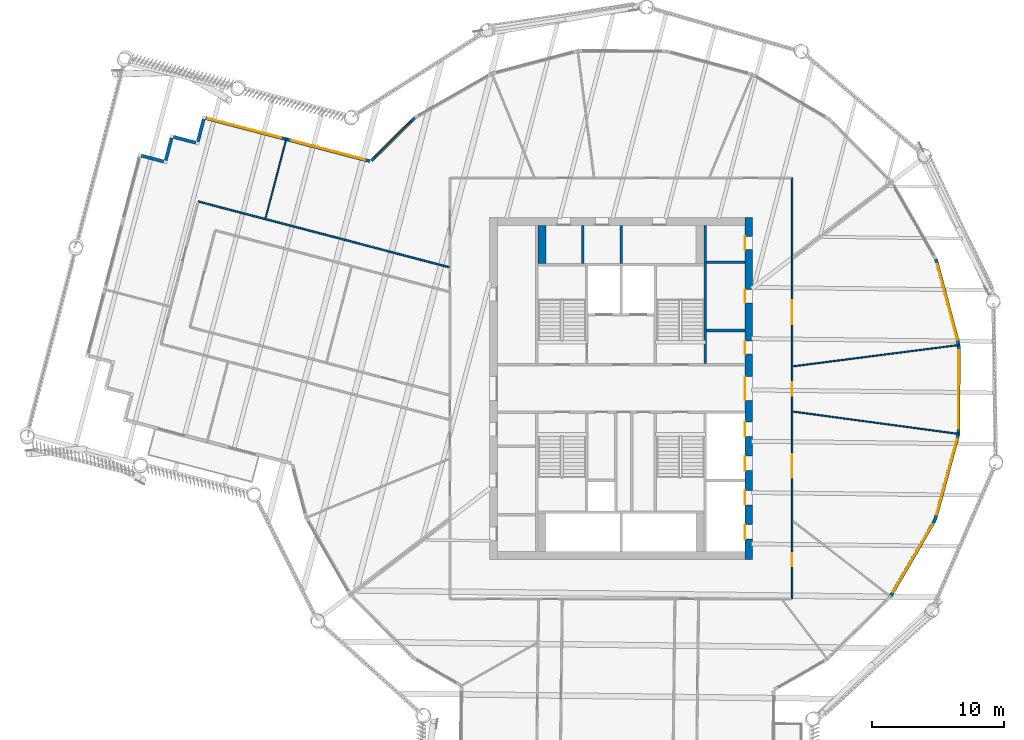
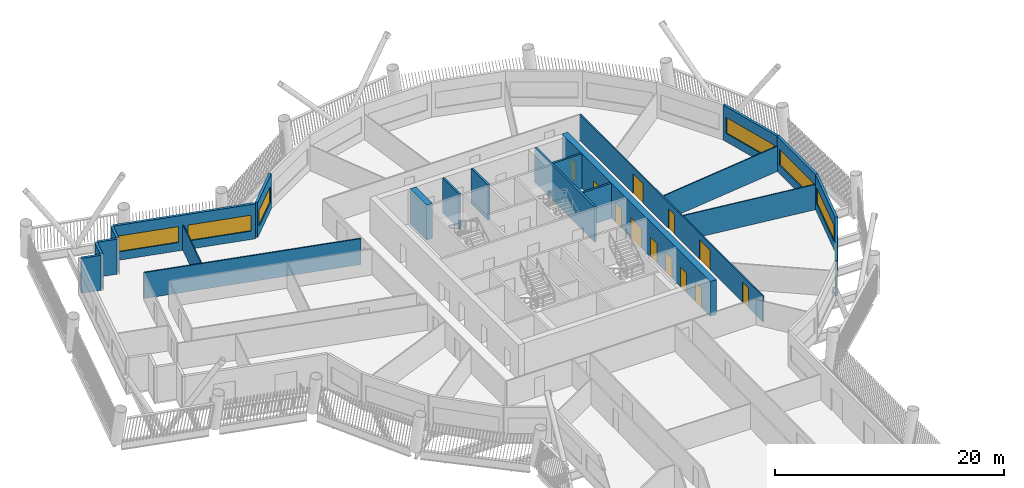
# One storey, part 6 of 21: 22 walls, 12 doors, 7 windows, 19 openings.
"""IFC4 building model written with IfcOpenShell, lengths in metres."""

from ifc_helpers import new_model, si_unit, direction, frame, frame_2d, origin, place, context, subcontext, project, spatial, rectangle, extrude, material, layer, layer_set, type_object, element, fill, save


model = new_model("IFC4")

# Units and contexts
model_context = context("Model", 3, precision=1e-05, world=origin(), true_north=direction((0.0, 1.0)))
body_context = subcontext(model_context, "Body", "Model", "MODEL_VIEW")
ifc_project = project(units=[si_unit("LENGTHUNIT", "METRE"), si_unit("AREAUNIT", "SQUARE_METRE"), si_unit("VOLUMEUNIT", "CUBIC_METRE"), si_unit("PLANEANGLEUNIT", "RADIAN"), si_unit("MASSUNIT", "GRAM", prefix="KILO")], contexts=[model_context])

# Site, building, storey
site_placement = place(None, origin())
site = spatial("IfcSite", under=ifc_project, at=site_placement, CompositionType="ELEMENT")
building_placement = place(site_placement, origin())
building = spatial("IfcBuilding", under=site, at=building_placement, Name="Tarsis Ring Headquarters", CompositionType="ELEMENT")
storey_placement = place(building_placement, frame((0.0, 0.0, 223.800048828125)))
storey = spatial("IfcBuildingStorey", under=building, at=storey_placement, Name="L52", CompositionType="ELEMENT", Elevation=223.800048828125)

# Walls
ifc_material_1 = material(Name="Blockwork", Category="masonry")
ifc_layer_1 = layer(ifc_material_1, 0.199951171875)
ifc_layer_set_1 = layer_set([ifc_layer_1], Name="Core blockwork wall 200")
wall_type_1 = type_object("IfcWallType", Name="Core blockwork wall 200", PredefinedType="PARTITIONING", material=ifc_layer_set_1)
for number, where, z_axis, x_axis, name in (
    (1, (6.5, 4.39990234375, 0.0), (0.0, 0.0, 1.0), (1.0, 0.0, 0.0), "Core partition ED5"),
    (2, (6.5, 9.60009765625, 0.0), (0.0, 0.0, 1.0), (1.0, 0.0, 0.0), "Core partition ED7"),
    (3, (-2.89990234375, 9.5, 0.0), (0.0, 0.0, 1.0), (0.0, 1.0, 0.0), "Core partition ND1"),
    (4, (0.0, 9.5, 0.0), (0.0, 0.0, 1.0), (0.0, 1.0, 0.0), "Core partition ND2"),
):
    element("IfcWall", number, at=place(storey_placement, frame(where, z_axis=z_axis, x_axis=x_axis)), inside=storey, type_object=wall_type_1, Name=name, PredefinedType="PARTITIONING", context=body_context, shape_type="SweptSolid", body=[
        extrude(rectangle(XDim=2.89990234375, YDim=0.199951171875, at=frame_2d((1.449951171875, 0.0))), origin(), (0.0, 0.0, 1.0), 3.739990234375),
    ])

# Wall, openings, doors
ifc_material_2 = material(Name="Concrete C50/60", Category="concrete")
ifc_layer_2 = layer(ifc_material_2, 0.60009765625)
ifc_layer_set_2 = layer_set([ifc_layer_2], Name="Core wall 600 C50/60")
wall_type_2 = type_object("IfcWallType", Name="Core wall 600 C50/60", PredefinedType="SHEAR", material=ifc_layer_set_2)
wall_1_placement = place(storey_placement, frame((9.699951171875, -13.0, 0.0), z_axis=(0.0, 0.0, 1.0), x_axis=(0.0, 1.0, 0.0)))
wall_1 = element("IfcWall", 5, at=wall_1_placement, inside=storey, type_object=wall_type_2, Name="Core wall OE", PredefinedType="SHEAR", context=body_context, shape_type="SweptSolid", body=[
    extrude(rectangle(XDim=26.0, YDim=0.60009765625, at=frame_2d((13.0, 0.0))), origin(), (0.0, 0.0, 1.0), 3.739990234375),
])
opening_1_placement = place(wall_1_placement, frame((1.550048828125, 0.0, 0.0)))
opening_1 = element("IfcOpeningElement", 6, at=opening_1_placement, cuts=wall_1, Name="Opening LD-MR1", PredefinedType="OPENING", context=body_context, shape_type="SweptSolid", body=[
    extrude(rectangle(XDim=1.10009765625, YDim=2.10009765625, at=frame_2d((0.550048828125, 1.050048828125))), frame((0.0, 0.31005859375, 0.0), z_axis=(0.0, -1.0, 0.0), x_axis=(1.0, 0.0, 0.0)), (0.0, 0.0, 1.0), 0.6201171875),
])
opening_2_placement = place(wall_1_placement, frame((4.14990234375, 0.0, 0.0)))
opening_2 = element("IfcOpeningElement", 7, at=opening_2_placement, cuts=wall_1, Name="Opening LD-MR2", PredefinedType="OPENING", context=body_context, shape_type="SweptSolid", body=[
    extrude(rectangle(XDim=1.10009765625, YDim=2.10009765625, at=frame_2d((0.550048828125, 1.050048828125))), frame((0.0, 0.31005859375, 0.0), z_axis=(0.0, -1.0, 0.0), x_axis=(1.0, 0.0, 0.0)), (0.0, 0.0, 1.0), 0.6201171875),
])
opening_3_placement = place(wall_1_placement, frame((6.75, 0.0, 0.0)))
opening_3 = element("IfcOpeningElement", 8, at=opening_3_placement, cuts=wall_1, Name="Opening LD-MR3", PredefinedType="OPENING", context=body_context, shape_type="SweptSolid", body=[
    extrude(rectangle(XDim=1.10009765625, YDim=2.10009765625, at=frame_2d((0.550048828125, 1.050048828125))), frame((0.0, 0.31005859375, 0.0), z_axis=(0.0, -1.0, 0.0), x_axis=(1.0, 0.0, 0.0)), (0.0, 0.0, 1.0), 0.6201171875),
])
opening_4_placement = place(wall_1_placement, frame((9.35009765625, 0.0, 0.0)))
opening_4 = element("IfcOpeningElement", 9, at=opening_4_placement, cuts=wall_1, Name="Opening LD-MR4", PredefinedType="OPENING", context=body_context, shape_type="SweptSolid", body=[
    extrude(rectangle(XDim=1.10009765625, YDim=2.10009765625, at=frame_2d((0.550048828125, 1.050048828125))), frame((0.0, 0.31005859375, 0.0), z_axis=(0.0, -1.0, 0.0), x_axis=(1.0, 0.0, 0.0)), (0.0, 0.0, 1.0), 0.6201171875),
])
opening_5_placement = place(wall_1_placement, frame((12.10009765625, 0.0, 0.0)))
opening_5 = element("IfcOpeningElement", 10, at=opening_5_placement, cuts=wall_1, Name="Opening L52-C10", PredefinedType="OPENING", context=body_context, shape_type="SweptSolid", body=[
    extrude(rectangle(XDim=1.800048828125, YDim=2.10009765625, at=frame_2d((0.89990234375, 1.050048828125))), frame((0.0, 0.31005859375, 0.0), z_axis=(0.0, -1.0, 0.0), x_axis=(1.0, 0.0, 0.0)), (0.0, 0.0, 1.0), 0.6201171875),
])
opening_6_placement = place(wall_1_placement, frame((15.60009765625, 0.0, 0.0)))
opening_6 = element("IfcOpeningElement", 11, at=opening_6_placement, cuts=wall_1, Name="Opening L52-C11", PredefinedType="OPENING", context=body_context, shape_type="SweptSolid", body=[
    extrude(rectangle(XDim=1.0, YDim=2.10009765625, at=frame_2d((0.5, 1.050048828125))), frame((0.0, 0.31005859375, 0.0), z_axis=(0.0, -1.0, 0.0), x_axis=(1.0, 0.0, 0.0)), (0.0, 0.0, 1.0), 0.6201171875),
])
opening_7_placement = place(wall_1_placement, frame((19.5, 0.0, 0.0)))
opening_7 = element("IfcOpeningElement", 12, at=opening_7_placement, cuts=wall_1, Name="Opening L52-C12", PredefinedType="OPENING", context=body_context, shape_type="SweptSolid", body=[
    extrude(rectangle(XDim=1.0, YDim=2.10009765625, at=frame_2d((0.5, 1.050048828125))), frame((0.0, 0.31005859375, 0.0), z_axis=(0.0, -1.0, 0.0), x_axis=(1.0, 0.0, 0.0)), (0.0, 0.0, 1.0), 0.6201171875),
])
opening_8_placement = place(wall_1_placement, frame((23.550048828125, 0.0, 0.0)))
opening_8 = element("IfcOpeningElement", 13, at=opening_8_placement, cuts=wall_1, Name="Opening L52-C13", PredefinedType="OPENING", context=body_context, shape_type="SweptSolid", body=[
    extrude(rectangle(XDim=1.0, YDim=2.10009765625, at=frame_2d((0.5, 1.050048828125))), frame((0.0, 0.31005859375, 0.0), z_axis=(0.0, -1.0, 0.0), x_axis=(1.0, 0.0, 0.0)), (0.0, 0.0, 1.0), 0.6201171875),
])
ifc_material_3 = material(Name="Steel S355", Category="steel")
door_type_1 = type_object("IfcDoorType", Name="Core entry door 1800x2100", OperationType="DOUBLE_DOOR_SINGLE_SWING", PredefinedType="DOOR", material=ifc_material_3)
door_1_placement = place(opening_5_placement, origin())
door_1 = element("IfcDoor", 14, at=door_1_placement, inside=storey, type_object=door_type_1, Name="Core entry door L52", OperationType="DOUBLE_DOOR_SINGLE_SWING", OverallHeight=2.10009765625, OverallWidth=1.800048828125, PredefinedType="DOOR", context=body_context, shape_type="SweptSolid", body=[
    extrude(rectangle(XDim=1.800048828125, YDim=2.10009765625, at=frame_2d((0.89990234375, 1.050048828125))), frame((0.0, 0.2998046875, 0.0), z_axis=(0.0, -1.0, 0.0), x_axis=(1.0, 0.0, 0.0)), (0.0, 0.0, 1.0), 0.050048828125),
])
fill(opening_5, door_1)
door_type_2 = type_object("IfcDoorType", Name="Core room door 1000x2100", OperationType="SINGLE_SWING_LEFT", PredefinedType="DOOR", material=ifc_material_3)
door_2_placement = place(opening_6_placement, origin())
door_2 = element("IfcDoor", 15, at=door_2_placement, inside=storey, type_object=door_type_2, Name="Core room door L52", OperationType="SINGLE_SWING_LEFT", OverallHeight=2.10009765625, OverallWidth=1.0, PredefinedType="DOOR", context=body_context, shape_type="SweptSolid", body=[
    extrude(rectangle(XDim=1.0, YDim=2.10009765625, at=frame_2d((0.5, 1.050048828125))), frame((0.0, 0.2998046875, 0.0), z_axis=(0.0, -1.0, 0.0), x_axis=(1.0, 0.0, 0.0)), (0.0, 0.0, 1.0), 0.050048828125),
])
fill(opening_6, door_2)
door_3_placement = place(opening_7_placement, origin())
door_3 = element("IfcDoor", 16, at=door_3_placement, inside=storey, type_object=door_type_2, Name="Core room door L52", OperationType="SINGLE_SWING_LEFT", OverallHeight=2.10009765625, OverallWidth=1.0, PredefinedType="DOOR", context=body_context, shape_type="SweptSolid", body=[
    extrude(rectangle(XDim=1.0, YDim=2.10009765625, at=frame_2d((0.5, 1.050048828125))), frame((0.0, 0.2998046875, 0.0), z_axis=(0.0, -1.0, 0.0), x_axis=(1.0, 0.0, 0.0)), (0.0, 0.0, 1.0), 0.050048828125),
])
fill(opening_7, door_3)
door_4_placement = place(opening_8_placement, origin())
door_4 = element("IfcDoor", 17, at=door_4_placement, inside=storey, type_object=door_type_2, Name="Core room door L52", OperationType="SINGLE_SWING_LEFT", OverallHeight=2.10009765625, OverallWidth=1.0, PredefinedType="DOOR", context=body_context, shape_type="SweptSolid", body=[
    extrude(rectangle(XDim=1.0, YDim=2.10009765625, at=frame_2d((0.5, 1.050048828125))), frame((0.0, 0.2998046875, 0.0), z_axis=(0.0, -1.0, 0.0), x_axis=(1.0, 0.0, 0.0)), (0.0, 0.0, 1.0), 0.050048828125),
])
fill(opening_8, door_4)
door_type_3 = type_object("IfcDoorType", Name="Landing door 1100x2100", OperationType="SLIDING_TO_LEFT", PredefinedType="DOOR", material=ifc_material_3)
door_5_placement = place(opening_1_placement, origin())
door_5 = element("IfcDoor", 18, at=door_5_placement, inside=storey, type_object=door_type_3, Name="Landing door MR1 L52", OperationType="SLIDING_TO_LEFT", OverallHeight=2.10009765625, OverallWidth=1.10009765625, PredefinedType="DOOR", context=body_context, shape_type="SweptSolid", body=[
    extrude(rectangle(XDim=1.10009765625, YDim=2.10009765625, at=frame_2d((0.550048828125, 1.050048828125))), frame((0.0, 0.2998046875, 0.0), z_axis=(0.0, -1.0, 0.0), x_axis=(1.0, 0.0, 0.0)), (0.0, 0.0, 1.0), 0.050048828125),
])
fill(opening_1, door_5)
door_6_placement = place(opening_2_placement, origin())
door_6 = element("IfcDoor", 19, at=door_6_placement, inside=storey, type_object=door_type_3, Name="Landing door MR2 L52", OperationType="SLIDING_TO_LEFT", OverallHeight=2.10009765625, OverallWidth=1.10009765625, PredefinedType="DOOR", context=body_context, shape_type="SweptSolid", body=[
    extrude(rectangle(XDim=1.10009765625, YDim=2.10009765625, at=frame_2d((0.550048828125, 1.050048828125))), frame((0.0, 0.2998046875, 0.0), z_axis=(0.0, -1.0, 0.0), x_axis=(1.0, 0.0, 0.0)), (0.0, 0.0, 1.0), 0.050048828125),
])
fill(opening_2, door_6)
door_7_placement = place(opening_3_placement, origin())
door_7 = element("IfcDoor", 20, at=door_7_placement, inside=storey, type_object=door_type_3, Name="Landing door MR3 L52", OperationType="SLIDING_TO_LEFT", OverallHeight=2.10009765625, OverallWidth=1.10009765625, PredefinedType="DOOR", context=body_context, shape_type="SweptSolid", body=[
    extrude(rectangle(XDim=1.10009765625, YDim=2.10009765625, at=frame_2d((0.550048828125, 1.050048828125))), frame((0.0, 0.2998046875, 0.0), z_axis=(0.0, -1.0, 0.0), x_axis=(1.0, 0.0, 0.0)), (0.0, 0.0, 1.0), 0.050048828125),
])
fill(opening_3, door_7)
door_8_placement = place(opening_4_placement, origin())
door_8 = element("IfcDoor", 21, at=door_8_placement, inside=storey, type_object=door_type_3, Name="Landing door MR4 L52", OperationType="SLIDING_TO_LEFT", OverallHeight=2.10009765625, OverallWidth=1.10009765625, PredefinedType="DOOR", context=body_context, shape_type="SweptSolid", body=[
    extrude(rectangle(XDim=1.10009765625, YDim=2.10009765625, at=frame_2d((0.550048828125, 1.050048828125))), frame((0.0, 0.2998046875, 0.0), z_axis=(0.0, -1.0, 0.0), x_axis=(1.0, 0.0, 0.0)), (0.0, 0.0, 1.0), 0.050048828125),
])
fill(opening_4, door_8)

# Walls
ifc_material_4 = material(Name="Gypsum board on steel studs", Category="steel")
ifc_layer_3 = layer(ifc_material_4, 0.10009765625)
ifc_layer_set_3 = layer_set([ifc_layer_3], Name="FL partition 100 unrated")
wall_type_3 = type_object("IfcWallType", Name="FL partition 100 unrated", PredefinedType="PARTITIONING", material=ifc_layer_set_3)
wall_2_placement = place(storey_placement, frame((13.0693359375, 1.678955078125, 0.0), z_axis=(0.0, 0.0, 1.0), x_axis=(0.991852208753, 0.127393861675, 0.0)))
element("IfcWall", 22, at=wall_2_placement, inside=storey, type_object=wall_type_3, Name="Partition PW3", PredefinedType="PARTITIONING", context=body_context, shape_type="SweptSolid", body=[
    extrude(rectangle(XDim=12.77099609375, YDim=0.10009765625, at=frame_2d((6.385498046875, 0.0))), origin(), (0.0, 0.0, 1.0), 2.699951171875),
])
wall_3_placement = place(storey_placement, frame((13.0693359375, -1.762451171875, 0.0), z_axis=(0.0, 0.0, 1.0), x_axis=(0.99102945055, -0.133643661063, 0.0)))
element("IfcWall", 23, at=wall_3_placement, inside=storey, type_object=wall_type_3, Name="Partition PW3", PredefinedType="PARTITIONING", context=body_context, shape_type="SweptSolid", body=[
    extrude(rectangle(XDim=12.76025390625, YDim=0.10009765625, at=frame_2d((6.380126953125, 0.0))), origin(), (0.0, 0.0, 1.0), 2.699951171875),
])
wall_4_placement = place(storey_placement, frame((-27.022705078125, 12.9404296875, 0.0), z_axis=(0.0, 0.0, 1.0), x_axis=(0.253433018438, 0.967352937229, 0.0)))
element("IfcWall", 24, at=wall_4_placement, inside=storey, type_object=wall_type_3, Name="Partition PW3", PredefinedType="PARTITIONING", context=body_context, shape_type="SweptSolid", body=[
    extrude(rectangle(XDim=6.280029296875, YDim=0.10009765625, at=frame_2d((3.14013671875, 0.0))), origin(), (0.0, 0.0, 1.0), 2.699951171875),
])

# Wall, openings, doors
ifc_layer_4 = layer(ifc_material_4, 0.125)
ifc_layer_set_4 = layer_set([ifc_layer_4], Name="FL partition 125 EI 60 H2770")
wall_type_4 = type_object("IfcWallType", Name="FL partition 125 EI 60 H2770", PredefinedType="PARTITIONING", material=ifc_layer_set_4)
wall_5_placement = place(storey_placement, frame((13.0, -16.0, 0.0), z_axis=(0.0, 0.0, 1.0), x_axis=(0.0, 1.0, 0.0)))
wall_5 = element("IfcWall", 25, at=wall_5_placement, inside=storey, type_object=wall_type_4, Name="Partition PW1", PredefinedType="PARTITIONING", context=body_context, shape_type="SweptSolid", body=[
    extrude(rectangle(XDim=32.0, YDim=0.125, at=frame_2d((16.0, 0.0))), origin(), (0.0, 0.0, 1.0), 2.77001953125),
])
opening_9_placement = place(wall_5_placement, frame((20.89013671875, 0.0, 0.0)))
opening_9 = element("IfcOpeningElement", 26, at=opening_9_placement, cuts=wall_5, Name="Opening D52.07", PredefinedType="OPENING", context=body_context, shape_type="SweptSolid", body=[
    extrude(rectangle(XDim=1.800048828125, YDim=2.10009765625, at=frame_2d((0.89990234375, 1.050048828125))), frame((0.0, 0.072509765625, 0.0), z_axis=(0.0, -1.0, 0.0), x_axis=(1.0, 0.0, 0.0)), (0.0, 0.0, 1.0), 0.14501953125),
])
opening_10_placement = place(wall_5_placement, frame((15.45849609375, 0.0, 0.0)))
opening_10 = element("IfcOpeningElement", 27, at=opening_10_placement, cuts=wall_5, Name="Opening D52.08", PredefinedType="OPENING", context=body_context, shape_type="SweptSolid", body=[
    extrude(rectangle(XDim=1.0, YDim=2.10009765625, at=frame_2d((0.5, 1.050048828125))), frame((0.0, 0.072509765625, 0.0), z_axis=(0.0, -1.0, 0.0), x_axis=(1.0, 0.0, 0.0)), (0.0, 0.0, 1.0), 0.14501953125),
])
opening_11_placement = place(wall_5_placement, frame((9.203369140625, 0.0, 0.0)))
opening_11 = element("IfcOpeningElement", 28, at=opening_11_placement, cuts=wall_5, Name="Opening D52.09", PredefinedType="OPENING", context=body_context, shape_type="SweptSolid", body=[
    extrude(rectangle(XDim=1.800048828125, YDim=2.10009765625, at=frame_2d((0.89990234375, 1.050048828125))), frame((0.0, 0.072509765625, 0.0), z_axis=(0.0, -1.0, 0.0), x_axis=(1.0, 0.0, 0.0)), (0.0, 0.0, 1.0), 0.14501953125),
])
opening_12_placement = place(wall_5_placement, frame((2.47998046875, 0.0, 0.0)))
opening_12 = element("IfcOpeningElement", 29, at=opening_12_placement, cuts=wall_5, Name="Opening D52.10", PredefinedType="OPENING", context=body_context, shape_type="SweptSolid", body=[
    extrude(rectangle(XDim=1.0, YDim=2.10009765625, at=frame_2d((0.5, 1.050048828125))), frame((0.0, 0.072509765625, 0.0), z_axis=(0.0, -1.0, 0.0), x_axis=(1.0, 0.0, 0.0)), (0.0, 0.0, 1.0), 0.14501953125),
])
ifc_material_5 = material(Name="Fire-rated timber door leaf in steel frame", Category="steel")
door_type_4 = type_object("IfcDoorType", Name="FL door FD60-1000", OperationType="NOTDEFINED", PredefinedType="DOOR", material=ifc_material_5)
door_9_placement = place(opening_10_placement, origin())
door_9 = element("IfcDoor", 30, at=door_9_placement, inside=storey, type_object=door_type_4, Name="Door D52.08", OperationType="SINGLE_SWING_RIGHT", OverallHeight=2.10009765625, OverallWidth=1.0, PredefinedType="DOOR", context=body_context, shape_type="SweptSolid", body=[
    extrude(rectangle(XDim=1.0, YDim=2.10009765625, at=frame_2d((0.5, 1.050048828125))), frame((0.0, 0.02490234375, 0.0), z_axis=(0.0, -1.0, 0.0), x_axis=(1.0, 0.0, 0.0)), (0.0, 0.0, 1.0), 0.050048828125),
])
fill(opening_10, door_9)
door_10_placement = place(opening_12_placement, origin())
door_10 = element("IfcDoor", 31, at=door_10_placement, inside=storey, type_object=door_type_4, Name="Door D52.10", OperationType="SINGLE_SWING_RIGHT", OverallHeight=2.10009765625, OverallWidth=1.0, PredefinedType="DOOR", context=body_context, shape_type="SweptSolid", body=[
    extrude(rectangle(XDim=1.0, YDim=2.10009765625, at=frame_2d((0.5, 1.050048828125))), frame((0.0, 0.02490234375, 0.0), z_axis=(0.0, -1.0, 0.0), x_axis=(1.0, 0.0, 0.0)), (0.0, 0.0, 1.0), 0.050048828125),
])
fill(opening_12, door_10)
door_type_5 = type_object("IfcDoorType", Name="FL door FD60-1800", OperationType="DOUBLE_DOOR_SINGLE_SWING", PredefinedType="DOOR", material=ifc_material_5)
door_11_placement = place(opening_9_placement, origin())
door_11 = element("IfcDoor", 32, at=door_11_placement, inside=storey, type_object=door_type_5, Name="Door D52.07", OperationType="DOUBLE_DOOR_SINGLE_SWING", OverallHeight=2.10009765625, OverallWidth=1.800048828125, PredefinedType="DOOR", context=body_context, shape_type="SweptSolid", body=[
    extrude(rectangle(XDim=1.800048828125, YDim=2.10009765625, at=frame_2d((0.89990234375, 1.050048828125))), frame((0.0, 0.02490234375, 0.0), z_axis=(0.0, -1.0, 0.0), x_axis=(1.0, 0.0, 0.0)), (0.0, 0.0, 1.0), 0.050048828125),
])
fill(opening_9, door_11)
door_12_placement = place(opening_11_placement, origin())
door_12 = element("IfcDoor", 33, at=door_12_placement, inside=storey, type_object=door_type_5, Name="Door D52.09", OperationType="DOUBLE_DOOR_SINGLE_SWING", OverallHeight=2.10009765625, OverallWidth=1.800048828125, PredefinedType="DOOR", context=body_context, shape_type="SweptSolid", body=[
    extrude(rectangle(XDim=1.800048828125, YDim=2.10009765625, at=frame_2d((0.89990234375, 1.050048828125))), frame((0.0, 0.02490234375, 0.0), z_axis=(0.0, -1.0, 0.0), x_axis=(1.0, 0.0, 0.0)), (0.0, 0.0, 1.0), 0.050048828125),
])
fill(opening_11, door_12)

# Wall
wall_6_placement = place(storey_placement, frame((-32.138427734375, 14.208251953125, 0.0), z_axis=(0.0, 0.0, 1.0), x_axis=(0.967356893186, -0.253417918082, 0.0)))
element("IfcWall", 34, at=wall_6_placement, inside=storey, type_object=wall_type_4, Name="Partition PW1", PredefinedType="PARTITIONING", context=body_context, shape_type="SweptSolid", body=[
    extrude(rectangle(XDim=19.704345703125, YDim=0.125, at=frame_2d((9.85205078125, 0.0))), origin(), (0.0, 0.0, 1.0), 2.77001953125),
])

# Wall, opening, window
ifc_material_6 = material(Name="Terracotta clad insulated panel wall", Category="masonry")
ifc_layer_5 = layer(ifc_material_6, 0.25)
ifc_layer_set_5 = layer_set([ifc_layer_5], Name="Facade wall terracotta panel 250")
wall_type_5 = type_object("IfcWallType", Name="Facade wall terracotta panel 250", PredefinedType="STANDARD", material=ifc_layer_set_5)
wall_7_placement = place(storey_placement, frame((20.48583984375, -15.80126953125, 0.0), z_axis=(0.0, 0.0, 1.0), x_axis=(0.502723354426, 0.864447354623, 0.0)))
wall_7 = element("IfcWall", 35, at=wall_7_placement, inside=storey, type_object=wall_type_5, Name="External wall L52-19", PredefinedType="STANDARD", context=body_context, shape_type="SweptSolid", body=[
    extrude(rectangle(XDim=6.7216796875, YDim=0.25, at=frame_2d((3.36083984375, 0.0))), origin(), (0.0, 0.0, 1.0), 3.739990234375),
])
opening_13_placement = place(wall_7_placement, frame((0.3857421875, 0.0, 0.89990234375)))
opening_13 = element("IfcOpeningElement", 36, at=opening_13_placement, cuts=wall_7, Name="Opening WN07", PredefinedType="OPENING", context=body_context, shape_type="SweptSolid", body=[
    extrude(rectangle(XDim=5.949951171875, YDim=1.699951171875, at=frame_2d((2.97509765625, 0.85009765625))), frame((0.0, 0.135009765625, 0.0), z_axis=(0.0, -1.0, 0.0), x_axis=(1.0, 0.0, 0.0)), (0.0, 0.0, 1.0), 0.27001953125),
])
ifc_material_7 = material(Name="Aluminium framed double glazing", Category="aluminium")
window_type_1 = type_object("IfcWindowType", Name="Facade window 5950 x 1700", PartitioningType="SINGLE_PANEL", PredefinedType="WINDOW", material=ifc_material_7)
window_1_placement = place(opening_13_placement, origin())
window_1 = element("IfcWindow", 37, at=window_1_placement, inside=storey, type_object=window_type_1, Name="Window L52-19.1", OverallHeight=1.699951171875, OverallWidth=5.949951171875, PartitioningType="SINGLE_PANEL", PredefinedType="WINDOW", context=body_context, shape_type="SweptSolid", body=[
    extrude(rectangle(XDim=5.949951171875, YDim=1.699951171875, at=frame_2d((2.97509765625, 0.85009765625))), frame((0.0, 0.030029296875, 0.0), z_axis=(0.0, -1.0, 0.0), x_axis=(1.0, 0.0, 0.0)), (0.0, 0.0, 1.0), 0.06005859375),
])
fill(opening_13, window_1)

wall_8_placement = place(storey_placement, frame((23.87744140625, -9.960693359375, 0.0), z_axis=(0.0, 0.0, 1.0), x_axis=(0.261844791821, 0.96510999632, 0.0)))
wall_8 = element("IfcWall", 38, at=wall_8_placement, inside=storey, type_object=wall_type_5, Name="External wall L52-20", PredefinedType="STANDARD", context=body_context, shape_type="SweptSolid", body=[
    extrude(rectangle(XDim=6.7216796875, YDim=0.25, at=frame_2d((3.36083984375, 0.0))), origin(), (0.0, 0.0, 1.0), 3.739990234375),
])
opening_14_placement = place(wall_8_placement, frame((0.3857421875, 0.0, 0.89990234375)))
opening_14 = element("IfcOpeningElement", 39, at=opening_14_placement, cuts=wall_8, Name="Opening WN07", PredefinedType="OPENING", context=body_context, shape_type="SweptSolid", body=[
    extrude(rectangle(XDim=5.949951171875, YDim=1.699951171875, at=frame_2d((2.97509765625, 0.85009765625))), frame((0.0, 0.135009765625, 0.0), z_axis=(0.0, -1.0, 0.0), x_axis=(1.0, 0.0, 0.0)), (0.0, 0.0, 1.0), 0.27001953125),
])
window_2_placement = place(opening_14_placement, origin())
window_2 = element("IfcWindow", 40, at=window_2_placement, inside=storey, type_object=window_type_1, Name="Window L52-20.1", OverallHeight=1.699951171875, OverallWidth=5.949951171875, PartitioningType="SINGLE_PANEL", PredefinedType="WINDOW", context=body_context, shape_type="SweptSolid", body=[
    extrude(rectangle(XDim=5.949951171875, YDim=1.699951171875, at=frame_2d((2.97509765625, 0.85009765625))), frame((0.0, 0.030029296875, 0.0), z_axis=(0.0, -1.0, 0.0), x_axis=(1.0, 0.0, 0.0)), (0.0, 0.0, 1.0), 0.06005859375),
])
fill(opening_14, window_2)

wall_9_placement = place(storey_placement, frame((25.641845703125, -3.44140625, 0.0), z_axis=(0.0, 0.0, 1.0), x_axis=(0.003159943544, 0.999995007366, 0.0)))
wall_9 = element("IfcWall", 41, at=wall_9_placement, inside=storey, type_object=wall_type_5, Name="External wall L52-21", PredefinedType="STANDARD", context=body_context, shape_type="SweptSolid", body=[
    extrude(rectangle(XDim=6.7216796875, YDim=0.25, at=frame_2d((3.36083984375, 0.0))), origin(), (0.0, 0.0, 1.0), 3.739990234375),
])
opening_15_placement = place(wall_9_placement, frame((0.3857421875, 0.0, 0.89990234375)))
opening_15 = element("IfcOpeningElement", 42, at=opening_15_placement, cuts=wall_9, Name="Opening WN07", PredefinedType="OPENING", context=body_context, shape_type="SweptSolid", body=[
    extrude(rectangle(XDim=5.949951171875, YDim=1.699951171875, at=frame_2d((2.97509765625, 0.85009765625))), frame((0.0, 0.135009765625, 0.0), z_axis=(0.0, -1.0, 0.0), x_axis=(1.0, 0.0, 0.0)), (0.0, 0.0, 1.0), 0.27001953125),
])
window_3_placement = place(opening_15_placement, origin())
window_3 = element("IfcWindow", 43, at=window_3_placement, inside=storey, type_object=window_type_1, Name="Window L52-21.1", OverallHeight=1.699951171875, OverallWidth=5.949951171875, PartitioningType="SINGLE_PANEL", PredefinedType="WINDOW", context=body_context, shape_type="SweptSolid", body=[
    extrude(rectangle(XDim=5.949951171875, YDim=1.699951171875, at=frame_2d((2.97509765625, 0.85009765625))), frame((0.0, 0.030029296875, 0.0), z_axis=(0.0, -1.0, 0.0), x_axis=(1.0, 0.0, 0.0)), (0.0, 0.0, 1.0), 0.06005859375),
])
fill(opening_15, window_3)

wall_10_placement = place(storey_placement, frame((25.658935546875, 3.3125, 0.0), z_axis=(0.0, 0.0, 1.0), x_axis=(-0.255776752162, 0.966735875539, 0.0)))
wall_10 = element("IfcWall", 44, at=wall_10_placement, inside=storey, type_object=wall_type_5, Name="External wall L52-22", PredefinedType="STANDARD", context=body_context, shape_type="SweptSolid", body=[
    extrude(rectangle(XDim=6.7216796875, YDim=0.25, at=frame_2d((3.36083984375, 0.0))), origin(), (0.0, 0.0, 1.0), 3.739990234375),
])
opening_16_placement = place(wall_10_placement, frame((0.3857421875, 0.0, 0.89990234375)))
opening_16 = element("IfcOpeningElement", 45, at=opening_16_placement, cuts=wall_10, Name="Opening WN07", PredefinedType="OPENING", context=body_context, shape_type="SweptSolid", body=[
    extrude(rectangle(XDim=5.949951171875, YDim=1.699951171875, at=frame_2d((2.97509765625, 0.85009765625))), frame((0.0, 0.135009765625, 0.0), z_axis=(0.0, -1.0, 0.0), x_axis=(1.0, 0.0, 0.0)), (0.0, 0.0, 1.0), 0.27001953125),
])
window_4_placement = place(opening_16_placement, origin())
window_4 = element("IfcWindow", 46, at=window_4_placement, inside=storey, type_object=window_type_1, Name="Window L52-22.1", OverallHeight=1.699951171875, OverallWidth=5.949951171875, PartitioningType="SINGLE_PANEL", PredefinedType="WINDOW", context=body_context, shape_type="SweptSolid", body=[
    extrude(rectangle(XDim=5.949951171875, YDim=1.699951171875, at=frame_2d((2.97509765625, 0.85009765625))), frame((0.0, 0.030029296875, 0.0), z_axis=(0.0, -1.0, 0.0), x_axis=(1.0, 0.0, 0.0)), (0.0, 0.0, 1.0), 0.06005859375),
])
fill(opening_16, window_4)

wall_11_placement = place(storey_placement, frame((-15.6982421875, 20.56494140625, 0.0), z_axis=(0.0, 0.0, 1.0), x_axis=(-0.709297462184, -0.704909292136, 0.0)))
wall_11 = element("IfcWall", 47, at=wall_11_placement, inside=storey, type_object=wall_type_5, Name="External wall L52-30", PredefinedType="STANDARD", context=body_context, shape_type="SweptSolid", body=[
    extrude(rectangle(XDim=4.61767578125, YDim=0.25, at=frame_2d((2.308837890625, 0.0))), origin(), (0.0, 0.0, 1.0), 3.739990234375),
])
opening_17_placement = place(wall_11_placement, frame((0.367431640625, 0.0, 0.89990234375)))
opening_17 = element("IfcOpeningElement", 48, at=opening_17_placement, cuts=wall_11, Name="Opening WN02", PredefinedType="OPENING", context=body_context, shape_type="SweptSolid", body=[
    extrude(rectangle(XDim=3.85009765625, YDim=1.699951171875, at=frame_2d((1.925048828125, 0.85009765625))), frame((0.0, 0.135009765625, 0.0), z_axis=(0.0, -1.0, 0.0), x_axis=(1.0, 0.0, 0.0)), (0.0, 0.0, 1.0), 0.27001953125),
])
window_type_2 = type_object("IfcWindowType", Name="Facade window 3850 x 1700", PartitioningType="SINGLE_PANEL", PredefinedType="WINDOW", material=ifc_material_7)
window_5_placement = place(opening_17_placement, origin())
window_5 = element("IfcWindow", 49, at=window_5_placement, inside=storey, type_object=window_type_2, Name="Window L52-30.1", OverallHeight=1.699951171875, OverallWidth=3.85009765625, PartitioningType="SINGLE_PANEL", PredefinedType="WINDOW", context=body_context, shape_type="SweptSolid", body=[
    extrude(rectangle(XDim=3.85009765625, YDim=1.699951171875, at=frame_2d((1.925048828125, 0.85009765625))), frame((0.0, 0.030029296875, 0.0), z_axis=(0.0, -1.0, 0.0), x_axis=(1.0, 0.0, 0.0)), (0.0, 0.0, 1.0), 0.06005859375),
])
fill(opening_17, window_5)

# Wall, openings, windows
wall_12_placement = place(storey_placement, frame((-19.093505859375, 17.277587890625, 0.0), z_axis=(0.0, 0.0, 1.0), x_axis=(-0.967355104608, 0.253424745416, 0.0)))
wall_12 = element("IfcWall", 50, at=wall_12_placement, inside=storey, type_object=wall_type_5, Name="External wall L52-31", PredefinedType="STANDARD", context=body_context, shape_type="SweptSolid", body=[
    extrude(rectangle(XDim=12.9013671875, YDim=0.25, at=frame_2d((6.45068359375, 0.0))), origin(), (0.0, 0.0, 1.0), 3.739990234375),
])
opening_18_placement = place(wall_12_placement, frame((0.412841796875, 0.0, 0.89990234375)))
opening_18 = element("IfcOpeningElement", 51, at=opening_18_placement, cuts=wall_12, Name="Opening WN06", PredefinedType="OPENING", context=body_context, shape_type="SweptSolid", body=[
    extrude(rectangle(XDim=5.75, YDim=1.699951171875, at=frame_2d((2.875, 0.85009765625))), frame((0.0, 0.135009765625, 0.0), z_axis=(0.0, -1.0, 0.0), x_axis=(1.0, 0.0, 0.0)), (0.0, 0.0, 1.0), 0.27001953125),
])
opening_19_placement = place(wall_12_placement, frame((6.988525390625, 0.0, 0.89990234375)))
opening_19 = element("IfcOpeningElement", 52, at=opening_19_placement, cuts=wall_12, Name="Opening WN06", PredefinedType="OPENING", context=body_context, shape_type="SweptSolid", body=[
    extrude(rectangle(XDim=5.75, YDim=1.699951171875, at=frame_2d((2.875, 0.85009765625))), frame((0.0, 0.135009765625, 0.0), z_axis=(0.0, -1.0, 0.0), x_axis=(1.0, 0.0, 0.0)), (0.0, 0.0, 1.0), 0.27001953125),
])
window_type_3 = type_object("IfcWindowType", Name="Facade window 5750 x 1700", PartitioningType="SINGLE_PANEL", PredefinedType="WINDOW", material=ifc_material_7)
window_6_placement = place(opening_18_placement, origin())
window_6 = element("IfcWindow", 53, at=window_6_placement, inside=storey, type_object=window_type_3, Name="Window L52-31.1", OverallHeight=1.699951171875, OverallWidth=5.75, PartitioningType="SINGLE_PANEL", PredefinedType="WINDOW", context=body_context, shape_type="SweptSolid", body=[
    extrude(rectangle(XDim=5.75, YDim=1.699951171875, at=frame_2d((2.875, 0.85009765625))), frame((0.0, 0.030029296875, 0.0), z_axis=(0.0, -1.0, 0.0), x_axis=(1.0, 0.0, 0.0)), (0.0, 0.0, 1.0), 0.06005859375),
])
fill(opening_18, window_6)
window_7_placement = place(opening_19_placement, origin())
window_7 = element("IfcWindow", 54, at=window_7_placement, inside=storey, type_object=window_type_3, Name="Window L52-31.2", OverallHeight=1.699951171875, OverallWidth=5.75, PartitioningType="SINGLE_PANEL", PredefinedType="WINDOW", context=body_context, shape_type="SweptSolid", body=[
    extrude(rectangle(XDim=5.75, YDim=1.699951171875, at=frame_2d((2.875, 0.85009765625))), frame((0.0, 0.030029296875, 0.0), z_axis=(0.0, -1.0, 0.0), x_axis=(1.0, 0.0, 0.0)), (0.0, 0.0, 1.0), 0.06005859375),
])
fill(opening_19, window_7)

# Walls
for number, where, z_axis, x_axis, name in (
    (55, (-31.726318359375, 20.4580078125, 0.0), (0.0, 0.0, 1.0), (-0.253353174867, -0.967373851613, 0.0), "External wall L52-32"),
    (56, (-32.322265625, 18.67578125, 0.0), (0.0, 0.0, 1.0), (-0.967373851613, 0.253353174867, 0.0), "External wall L52-33"),
    (57, (-34.167724609375, 19.030029296875, 0.0), (0.0, 0.0, 1.0), (-0.253483724654, -0.967339651485, 0.0), "External wall L52-34"),
    (58, (-34.763916015625, 17.247802734375, 0.0), (0.0, 0.0, 1.0), (-0.967339651485, 0.253483724654, 0.0), "External wall L52-35"),
):
    element("IfcWall", number, at=place(storey_placement, frame(where, z_axis=z_axis, x_axis=x_axis)), inside=storey, type_object=wall_type_5, Name=name, PredefinedType="STANDARD", context=body_context, shape_type="SweptSolid", body=[
        extrude(rectangle(XDim=1.75, YDim=0.25, at=frame_2d((0.875, 0.0))), origin(), (0.0, 0.0, 1.0), 3.739990234375),
    ])
ifc_material_8 = material(Name="Concrete C32/40", Category="concrete")
ifc_layer_6 = layer(ifc_material_8, 0.60009765625)
ifc_layer_set_6 = layer_set([ifc_layer_6], Name="Shaft end wall 600 C32/40")
wall_type_6 = type_object("IfcWallType", Name="Shaft end wall 600 C32/40", PredefinedType="SOLIDWALL", material=ifc_layer_set_6)
wall_13_placement = place(storey_placement, frame((-6.0, 9.5, 0.0), z_axis=(0.0, 0.0, 1.0), x_axis=(0.0, 1.0, 0.0)))
element("IfcWall", 59, at=wall_13_placement, inside=storey, type_object=wall_type_6, Name="Core shaft wall NNE1", PredefinedType="SOLIDWALL", context=body_context, shape_type="SweptSolid", body=[
    extrude(rectangle(XDim=2.89990234375, YDim=0.60009765625, at=frame_2d((1.449951171875, 0.0))), origin(), (0.0, 0.0, 1.0), 3.739990234375),
])
ifc_layer_7 = layer(ifc_material_8, 0.199951171875)
ifc_layer_set_7 = layer_set([ifc_layer_7], Name="Shaft wall 200 C32/40")
wall_type_7 = type_object("IfcWallType", Name="Shaft wall 200 C32/40", PredefinedType="SOLIDWALL", material=ifc_layer_set_7)
wall_14_placement = place(storey_placement, frame((6.39990234375, 1.89990234375, 0.0), z_axis=(0.0, 0.0, 1.0), x_axis=(0.0, 1.0, 0.0)))
element("IfcWall", 60, at=wall_14_placement, inside=storey, type_object=wall_type_7, Name="Core shaft wall EB2", PredefinedType="SOLIDWALL", context=body_context, shape_type="SweptSolid", body=[
    extrude(rectangle(XDim=10.5, YDim=0.199951171875, at=frame_2d((5.25, 0.0))), origin(), (0.0, 0.0, 1.0), 3.739990234375),
])

save(model, "model.ifc")
